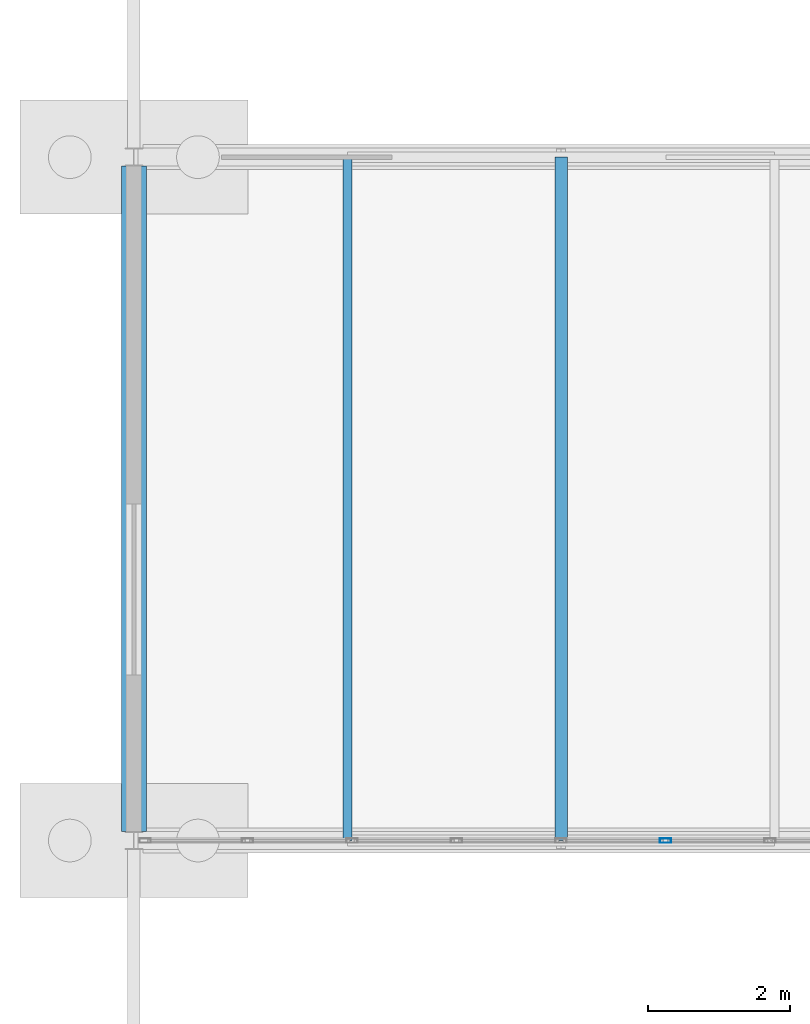
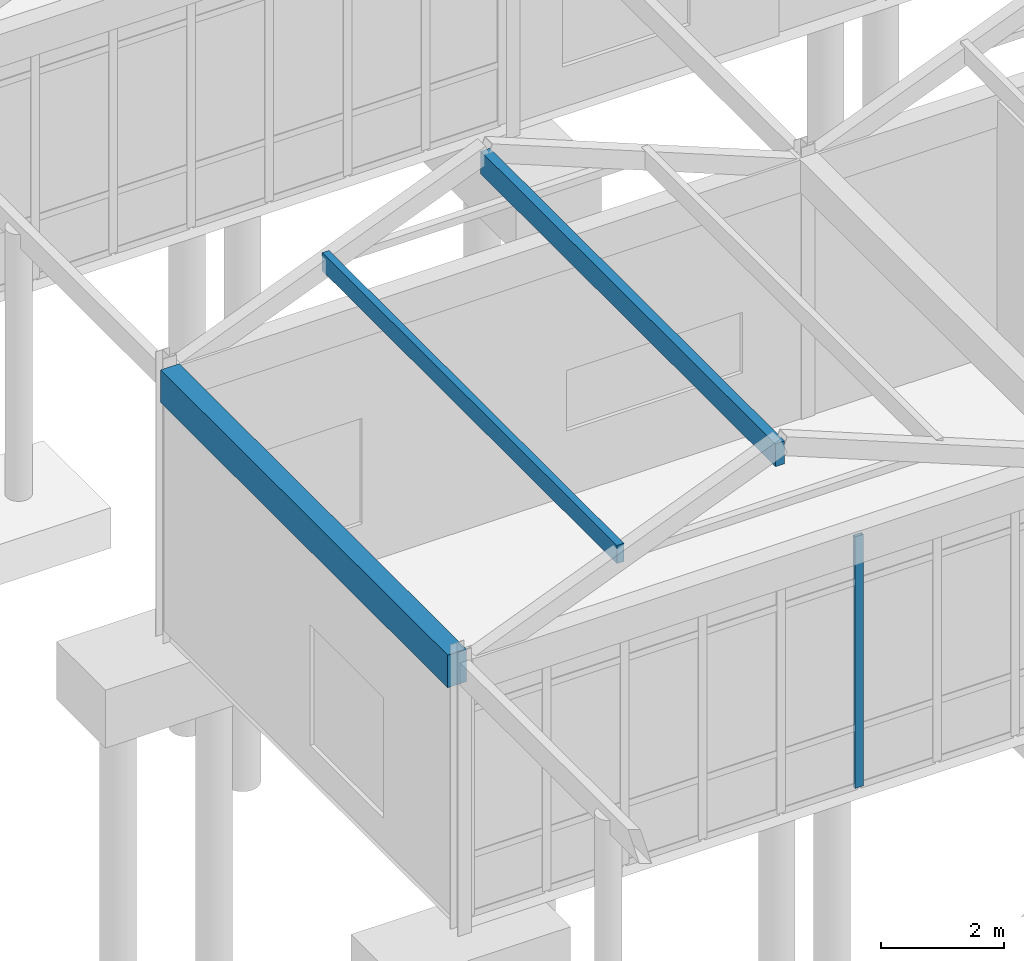
# One storey, part 42 of 188: 3 members, 1 beam, 1 element without a shape of its own.
"""IFC4 building model written with IfcOpenShell, lengths in metres."""

from ifc_helpers import new_model, si_unit, direction, frame, origin, origin_2d, place, context, subcontext, project, spatial, rectangle, hollow_rectangle, extrude, material, layer, layer_set, material_profile, profile_set, type_object, element, aggregate, save


model = new_model("IFC4")

# Units and contexts
model_context = context("Model", 3, precision=1e-05, world=origin(), true_north=direction((0.0, 1.0)))
body_context = subcontext(model_context, "Body", "Model", "MODEL_VIEW")
ifc_project = project(units=[si_unit("LENGTHUNIT", "METRE"), si_unit("AREAUNIT", "SQUARE_METRE"), si_unit("VOLUMEUNIT", "CUBIC_METRE"), si_unit("PLANEANGLEUNIT", "RADIAN"), si_unit("MASSUNIT", "GRAM", prefix="KILO")], contexts=[model_context])

# Site, building, storey
site_placement = place(None, origin())
site = spatial("IfcSite", under=ifc_project, at=site_placement, CompositionType="ELEMENT")
building_placement = place(site_placement, origin())
building = spatial("IfcBuilding", under=site, at=building_placement, Name="Pandanus Reach Market Hall", CompositionType="ELEMENT")
storey_placement = place(building_placement, origin())
storey = spatial("IfcBuildingStorey", under=building, at=storey_placement, Name="L00", CompositionType="ELEMENT", Elevation=0.0)

# Beam
ifc_material_1 = material(Name="Concrete N40 (40 MPa)", Category="concrete")
ifc_material_profile_1 = material_profile(ifc_material_1, rectangle(XDim=0.35009765625, YDim=0.64990234375, at=origin_2d()), Name="RC350x650", Category="LoadBearing")
ifc_profile_set_1 = profile_set([ifc_material_profile_1], Name="Concrete N40 (40 MPa)")
beam_type = type_object("IfcBeamType", Name="BM-RC350-E", PredefinedType="SPANDREL", material=ifc_profile_set_1)
beam_placement = place(storey_placement, frame((0.0, 57.72509765625, 4.8798828125), z_axis=(0.0, 1.0, 0.0), x_axis=(-1.0, 0.0, 0.0)))
element("IfcBeam", 1, at=beam_placement, inside=storey, type_object=beam_type, Name="Framing beam BM-RC350-E L00.1162", PredefinedType="SPANDREL", context=body_context, shape_type="SweptSolid", body=[
    extrude(rectangle(XDim=0.35009765625, YDim=0.64990234375, at=origin_2d()), origin(), (0.0, 0.0, 1.0), 9.349853515625),
])

# Curtain wall, member
ifc_material_2 = material(Name="Bronze anodised aluminium and low-E glass", Category="aluminium")
ifc_layer = layer(ifc_material_2, 0.159912109375, Name="CW-07")
ifc_layer_set = layer_set([ifc_layer], Name="Bronze anodised aluminium and low-E glass")
curtain_wall_type = type_object("IfcCurtainWallType", Name="CW-07", PredefinedType="NOTDEFINED", material=ifc_layer_set)
curtain_wall_placement = place(storey_placement, origin())
curtain_wall = element("IfcCurtainWall", 2, at=curtain_wall_placement, inside=storey, type_object=curtain_wall_type, Name="Glazed curtain wall CW-07 CW-0041", PredefinedType="NOTDEFINED")
ifc_material_3 = material(Name="Bronze anodised aluminium", Category="aluminium")
ifc_material_profile_2 = material_profile(ifc_material_3, hollow_rectangle(XDim=0.06494140625, YDim=0.159912109375, WallThickness=0.00390625, at=origin_2d()), Name="ALU65x160", Category="LoadBearing")
ifc_profile_set_2 = profile_set([ifc_material_profile_2], Name="Bronze anodised aluminium")
member_type_1 = type_object("IfcMemberType", Name="CW-M1", PredefinedType="MULLION", material=ifc_profile_set_2)
member_1_placement = place(storey_placement, frame((7.46826171875, 57.60009765625, 0.0), z_axis=(0.0, 0.0, 1.0), x_axis=(0.0, 1.0, 0.0)))
member_1 = element("IfcMember", 3, at=member_1_placement, type_object=member_type_1, Name="CW-07 mullion 6", PredefinedType="MULLION", context=body_context, shape_type="SweptSolid", body=[
    extrude(hollow_rectangle(XDim=0.06494140625, YDim=0.159912109375, WallThickness=0.00390625, at=origin_2d()), origin(), (0.0, 0.0, 1.0), 5.0),
])
aggregate(curtain_wall, [member_1])

# Members
ifc_material_4 = material(Name="Glulam timber GL17", Category="wood")
ifc_material_profile_3 = material_profile(ifc_material_4, rectangle(XDim=0.1298828125, YDim=0.360107421875, at=origin_2d()), Name="GL130x360", Category="LoadBearing")
ifc_profile_set_3 = profile_set([ifc_material_profile_3], Name="Glulam timber GL17")
member_type_2 = type_object("IfcMemberType", Name="PR-GL130-E", PredefinedType="PURLIN", material=ifc_profile_set_3)
member_2_placement = place(storey_placement, frame((3.0, 57.60009765625, 6.189697265625), z_axis=(0.0, 1.0, 0.0), x_axis=(-1.0, 0.0, 0.0)))
element("IfcMember", 4, at=member_2_placement, inside=storey, type_object=member_type_2, Name="Gable slope glulam purlin R2.B1W", PredefinedType="PURLIN", context=body_context, shape_type="SweptSolid", body=[
    extrude(rectangle(XDim=0.1298828125, YDim=0.360107421875, at=origin_2d()), origin(), (0.0, 0.0, 1.0), 9.599853515625),
])
ifc_material_profile_4 = material_profile(ifc_material_4, rectangle(XDim=0.175048828125, YDim=0.449951171875, at=origin_2d()), Name="GL175x450", Category="LoadBearing")
ifc_profile_set_4 = profile_set([ifc_material_profile_4], Name="Glulam timber GL17")
member_type_3 = type_object("IfcMemberType", Name="PR-GL175-E", PredefinedType="PURLIN", material=ifc_profile_set_4)
member_3_placement = place(storey_placement, frame((6.0, 57.60009765625, 7.11865234375), z_axis=(0.0, 1.0, 0.0), x_axis=(-1.0, 0.0, 0.0)))
element("IfcMember", 5, at=member_3_placement, inside=storey, type_object=member_type_3, Name="Gable ridge glulam purlin R2.B1", PredefinedType="PURLIN", context=body_context, shape_type="SweptSolid", body=[
    extrude(rectangle(XDim=0.175048828125, YDim=0.449951171875, at=origin_2d()), origin(), (0.0, 0.0, 1.0), 9.599853515625),
])

save(model, "model.ifc")
